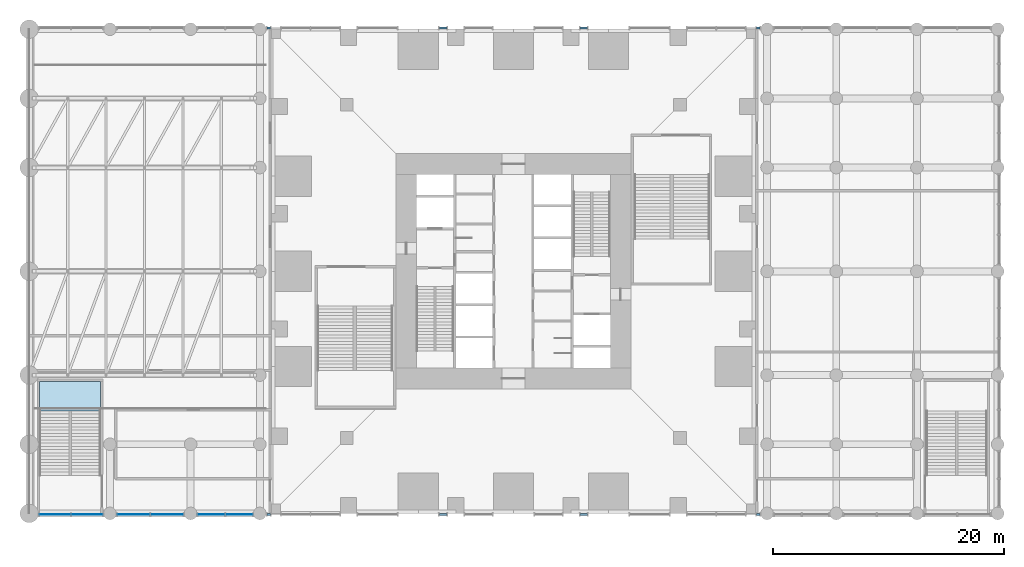
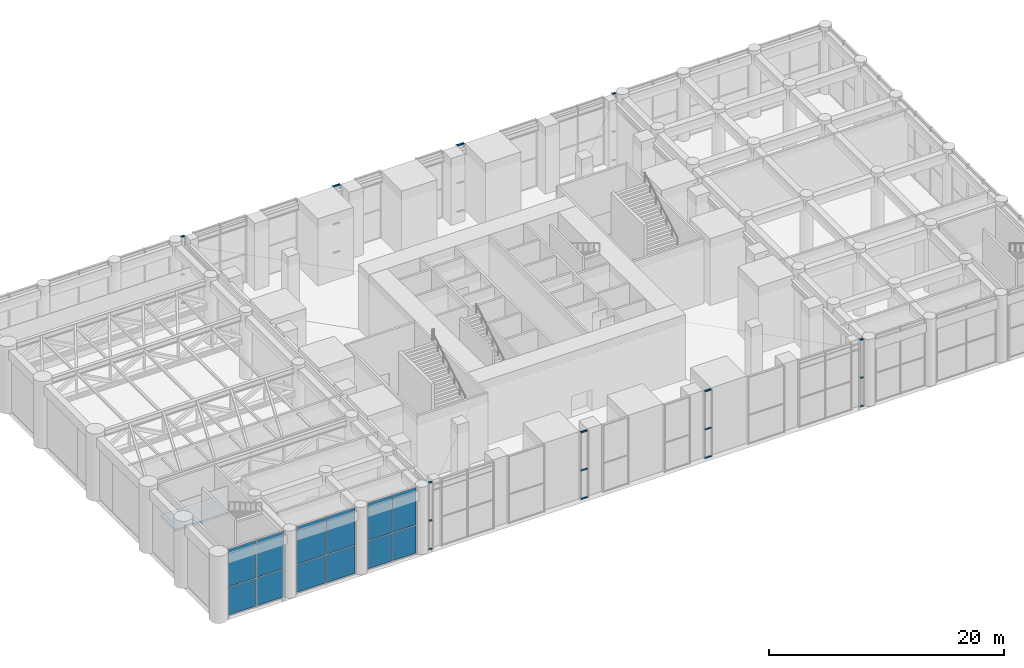
# One storey, part 14 of 30: 24 members, 12 plates, 1 slab, 12 elements without a shape of their own.
"""IFC4 building model written with IfcOpenShell, lengths in metres."""

from ifc_helpers import new_model, si_unit, direction, frame, origin, origin_2d, place, context, subcontext, project, spatial, polyline, rectangle, outline, extrude, material, layer, layer_set, material_profile, profile_set, type_object, element, aggregate, save


model = new_model("IFC4")

# Units and contexts
model_context = context("Model", 3, precision=1e-05, world=origin(), true_north=direction((0.0, 1.0)))
body_context = subcontext(model_context, "Body", "Model", "MODEL_VIEW")
ifc_project = project(units=[si_unit("LENGTHUNIT", "METRE"), si_unit("AREAUNIT", "SQUARE_METRE"), si_unit("VOLUMEUNIT", "CUBIC_METRE"), si_unit("PLANEANGLEUNIT", "RADIAN"), si_unit("MASSUNIT", "GRAM", prefix="KILO")], contexts=[model_context])

# Site, building, storey
site_placement = place(None, origin())
site = spatial("IfcSite", under=ifc_project, at=site_placement, CompositionType="ELEMENT")
building_placement = place(site_placement, origin())
building = spatial("IfcBuilding", under=site, at=building_placement, Name="Svetlomir Tower", CompositionType="ELEMENT")
storey_placement = place(building_placement, frame((0.0, 0.0, 11.0)))
storey = spatial("IfcBuildingStorey", under=building, at=storey_placement, Name="L02", CompositionType="ELEMENT", Elevation=11.0)

# Curtain wall, members
ifc_material_1 = material(Name="Bronze anodised aluminium curtain wall", Category="aluminium")
curtain_wall_type = type_object("IfcCurtainWallType", Name="CURTAIN WALL CW5 PODIUM", PredefinedType="NOTDEFINED", material=ifc_material_1)
curtain_wall_1_placement = place(storey_placement, origin())
curtain_wall_1 = element("IfcCurtainWall", 1, at=curtain_wall_1_placement, inside=storey, type_object=curtain_wall_type, Name="Curtain wall CW5 L02", PredefinedType="NOTDEFINED")
ifc_material_2 = material(Name="Bronze anodised aluminium", Category="aluminium")
ifc_material_profile = material_profile(ifc_material_2, rectangle(XDim=0.179931640625, YDim=0.080078125, at=origin_2d()), Name="AL 180x80")
ifc_profile_set = profile_set([ifc_material_profile], Name="Bronze anodised aluminium 6063-T6")
member_type = type_object("IfcMemberType", Name="CW5 TRANSOM 80x180", PredefinedType="USERDEFINED", material=ifc_profile_set)
member_1_placement = place(storey_placement, frame((-0.3701171875, -0.10009765625, 0.0400390625), z_axis=(1.0, 0.0, 0.0), x_axis=(0.0, 1.0, 0.0)))
member_1 = element("IfcMember", 2, at=member_1_placement, type_object=member_type, Name="CW5 transom 1.1", ObjectType="TRANSOM", PredefinedType="USERDEFINED", context=body_context, shape_type="SweptSolid", body=[
    extrude(rectangle(XDim=0.179931640625, YDim=0.080078125, at=origin_2d()), origin(), (0.0, 0.0, 1.0), 0.2900390625),
])
member_2_placement = place(storey_placement, frame((-0.3701171875, -0.10009765625, 3.0), z_axis=(1.0, 0.0, 0.0), x_axis=(0.0, 1.0, 0.0)))
member_2 = element("IfcMember", 3, at=member_2_placement, type_object=member_type, Name="CW5 transom 1.2", ObjectType="TRANSOM", PredefinedType="USERDEFINED", context=body_context, shape_type="SweptSolid", body=[
    extrude(rectangle(XDim=0.179931640625, YDim=0.080078125, at=origin_2d()), origin(), (0.0, 0.0, 1.0), 0.2900390625),
])
member_3_placement = place(storey_placement, frame((-0.3701171875, -0.10009765625, 6.9599609375), z_axis=(1.0, 0.0, 0.0), x_axis=(0.0, 1.0, 0.0)))
member_3 = element("IfcMember", 4, at=member_3_placement, type_object=member_type, Name="CW5 transom 1.3", ObjectType="TRANSOM", PredefinedType="USERDEFINED", context=body_context, shape_type="SweptSolid", body=[
    extrude(rectangle(XDim=0.179931640625, YDim=0.080078125, at=origin_2d()), origin(), (0.0, 0.0, 1.0), 0.2900390625),
])
aggregate(curtain_wall_1, [member_1, member_2, member_3])

curtain_wall_2_placement = place(storey_placement, origin())
curtain_wall_2 = element("IfcCurtainWall", 5, at=curtain_wall_2_placement, inside=storey, type_object=curtain_wall_type, Name="Curtain wall CW5 L02", PredefinedType="NOTDEFINED")
member_4_placement = place(storey_placement, frame((14.580078125, -0.10009765625, 0.0400390625), z_axis=(1.0, 0.0, 0.0), x_axis=(0.0, 1.0, 0.0)))
member_4 = element("IfcMember", 6, at=member_4_placement, type_object=member_type, Name="CW5 transom 1.1", ObjectType="TRANSOM", PredefinedType="USERDEFINED", context=body_context, shape_type="SweptSolid", body=[
    extrude(rectangle(XDim=0.179931640625, YDim=0.080078125, at=origin_2d()), origin(), (0.0, 0.0, 1.0), 0.639892578125),
])
member_5_placement = place(storey_placement, frame((14.580078125, -0.10009765625, 3.0), z_axis=(1.0, 0.0, 0.0), x_axis=(0.0, 1.0, 0.0)))
member_5 = element("IfcMember", 7, at=member_5_placement, type_object=member_type, Name="CW5 transom 1.2", ObjectType="TRANSOM", PredefinedType="USERDEFINED", context=body_context, shape_type="SweptSolid", body=[
    extrude(rectangle(XDim=0.179931640625, YDim=0.080078125, at=origin_2d()), origin(), (0.0, 0.0, 1.0), 0.639892578125),
])
member_6_placement = place(storey_placement, frame((14.580078125, -0.10009765625, 6.9599609375), z_axis=(1.0, 0.0, 0.0), x_axis=(0.0, 1.0, 0.0)))
member_6 = element("IfcMember", 8, at=member_6_placement, type_object=member_type, Name="CW5 transom 1.3", ObjectType="TRANSOM", PredefinedType="USERDEFINED", context=body_context, shape_type="SweptSolid", body=[
    extrude(rectangle(XDim=0.179931640625, YDim=0.080078125, at=origin_2d()), origin(), (0.0, 0.0, 1.0), 0.639892578125),
])
aggregate(curtain_wall_2, [member_4, member_5, member_6])

curtain_wall_3_placement = place(storey_placement, origin())
curtain_wall_3 = element("IfcCurtainWall", 9, at=curtain_wall_3_placement, inside=storey, type_object=curtain_wall_type, Name="Curtain wall CW5 L02", PredefinedType="NOTDEFINED")
member_7_placement = place(storey_placement, frame((26.780029296875, -0.10009765625, 0.0400390625), z_axis=(1.0, 0.0, 0.0), x_axis=(0.0, 1.0, 0.0)))
member_7 = element("IfcMember", 10, at=member_7_placement, type_object=member_type, Name="CW5 transom 1.1", ObjectType="TRANSOM", PredefinedType="USERDEFINED", context=body_context, shape_type="SweptSolid", body=[
    extrude(rectangle(XDim=0.179931640625, YDim=0.080078125, at=origin_2d()), origin(), (0.0, 0.0, 1.0), 0.639892578125),
])
member_8_placement = place(storey_placement, frame((26.780029296875, -0.10009765625, 3.0), z_axis=(1.0, 0.0, 0.0), x_axis=(0.0, 1.0, 0.0)))
member_8 = element("IfcMember", 11, at=member_8_placement, type_object=member_type, Name="CW5 transom 1.2", ObjectType="TRANSOM", PredefinedType="USERDEFINED", context=body_context, shape_type="SweptSolid", body=[
    extrude(rectangle(XDim=0.179931640625, YDim=0.080078125, at=origin_2d()), origin(), (0.0, 0.0, 1.0), 0.639892578125),
])
member_9_placement = place(storey_placement, frame((26.780029296875, -0.10009765625, 6.9599609375), z_axis=(1.0, 0.0, 0.0), x_axis=(0.0, 1.0, 0.0)))
member_9 = element("IfcMember", 12, at=member_9_placement, type_object=member_type, Name="CW5 transom 1.3", ObjectType="TRANSOM", PredefinedType="USERDEFINED", context=body_context, shape_type="SweptSolid", body=[
    extrude(rectangle(XDim=0.179931640625, YDim=0.080078125, at=origin_2d()), origin(), (0.0, 0.0, 1.0), 0.639892578125),
])
aggregate(curtain_wall_3, [member_7, member_8, member_9])

curtain_wall_4_placement = place(storey_placement, origin())
curtain_wall_4 = element("IfcCurtainWall", 13, at=curtain_wall_4_placement, inside=storey, type_object=curtain_wall_type, Name="Curtain wall CW5 L02", PredefinedType="NOTDEFINED")
member_10_placement = place(storey_placement, frame((42.080078125, -0.10009765625, 0.0400390625), z_axis=(1.0, 0.0, 0.0), x_axis=(0.0, 1.0, 0.0)))
member_10 = element("IfcMember", 14, at=member_10_placement, type_object=member_type, Name="CW5 transom 1.1", ObjectType="TRANSOM", PredefinedType="USERDEFINED", context=body_context, shape_type="SweptSolid", body=[
    extrude(rectangle(XDim=0.179931640625, YDim=0.080078125, at=origin_2d()), origin(), (0.0, 0.0, 1.0), 0.2900390625),
])
member_11_placement = place(storey_placement, frame((42.080078125, -0.10009765625, 3.0), z_axis=(1.0, 0.0, 0.0), x_axis=(0.0, 1.0, 0.0)))
member_11 = element("IfcMember", 15, at=member_11_placement, type_object=member_type, Name="CW5 transom 1.2", ObjectType="TRANSOM", PredefinedType="USERDEFINED", context=body_context, shape_type="SweptSolid", body=[
    extrude(rectangle(XDim=0.179931640625, YDim=0.080078125, at=origin_2d()), origin(), (0.0, 0.0, 1.0), 0.2900390625),
])
member_12_placement = place(storey_placement, frame((42.080078125, -0.10009765625, 6.9599609375), z_axis=(1.0, 0.0, 0.0), x_axis=(0.0, 1.0, 0.0)))
member_12 = element("IfcMember", 16, at=member_12_placement, type_object=member_type, Name="CW5 transom 1.3", ObjectType="TRANSOM", PredefinedType="USERDEFINED", context=body_context, shape_type="SweptSolid", body=[
    extrude(rectangle(XDim=0.179931640625, YDim=0.080078125, at=origin_2d()), origin(), (0.0, 0.0, 1.0), 0.2900390625),
])
aggregate(curtain_wall_4, [member_10, member_11, member_12])

curtain_wall_5_placement = place(storey_placement, origin())
curtain_wall_5 = element("IfcCurtainWall", 17, at=curtain_wall_5_placement, inside=storey, type_object=curtain_wall_type, Name="Curtain wall CW5 L02", PredefinedType="NOTDEFINED")
member_13_placement = place(storey_placement, frame((42.3701171875, 42.10009765625, 0.0400390625), z_axis=(-1.0, 0.0, 0.0), x_axis=(0.0, -1.0, 0.0)))
member_13 = element("IfcMember", 18, at=member_13_placement, type_object=member_type, Name="CW5 transom 1.1", ObjectType="TRANSOM", PredefinedType="USERDEFINED", context=body_context, shape_type="SweptSolid", body=[
    extrude(rectangle(XDim=0.179931640625, YDim=0.080078125, at=origin_2d()), origin(), (0.0, 0.0, 1.0), 0.2900390625),
])
member_14_placement = place(storey_placement, frame((42.3701171875, 42.10009765625, 3.0), z_axis=(-1.0, 0.0, 0.0), x_axis=(0.0, -1.0, 0.0)))
member_14 = element("IfcMember", 19, at=member_14_placement, type_object=member_type, Name="CW5 transom 1.2", ObjectType="TRANSOM", PredefinedType="USERDEFINED", context=body_context, shape_type="SweptSolid", body=[
    extrude(rectangle(XDim=0.179931640625, YDim=0.080078125, at=origin_2d()), origin(), (0.0, 0.0, 1.0), 0.2900390625),
])
member_15_placement = place(storey_placement, frame((42.3701171875, 42.10009765625, 6.9599609375), z_axis=(-1.0, 0.0, 0.0), x_axis=(0.0, -1.0, 0.0)))
member_15 = element("IfcMember", 20, at=member_15_placement, type_object=member_type, Name="CW5 transom 1.3", ObjectType="TRANSOM", PredefinedType="USERDEFINED", context=body_context, shape_type="SweptSolid", body=[
    extrude(rectangle(XDim=0.179931640625, YDim=0.080078125, at=origin_2d()), origin(), (0.0, 0.0, 1.0), 0.2900390625),
])
aggregate(curtain_wall_5, [member_13, member_14, member_15])

curtain_wall_6_placement = place(storey_placement, origin())
curtain_wall_6 = element("IfcCurtainWall", 21, at=curtain_wall_6_placement, inside=storey, type_object=curtain_wall_type, Name="Curtain wall CW5 L02", PredefinedType="NOTDEFINED")
member_16_placement = place(storey_placement, frame((27.419921875, 42.10009765625, 0.0400390625), z_axis=(-1.0, 0.0, 0.0), x_axis=(0.0, -1.0, 0.0)))
member_16 = element("IfcMember", 22, at=member_16_placement, type_object=member_type, Name="CW5 transom 1.1", ObjectType="TRANSOM", PredefinedType="USERDEFINED", context=body_context, shape_type="SweptSolid", body=[
    extrude(rectangle(XDim=0.179931640625, YDim=0.080078125, at=origin_2d()), origin(), (0.0, 0.0, 1.0), 0.639892578125),
])
member_17_placement = place(storey_placement, frame((27.419921875, 42.10009765625, 3.0), z_axis=(-1.0, 0.0, 0.0), x_axis=(0.0, -1.0, 0.0)))
member_17 = element("IfcMember", 23, at=member_17_placement, type_object=member_type, Name="CW5 transom 1.2", ObjectType="TRANSOM", PredefinedType="USERDEFINED", context=body_context, shape_type="SweptSolid", body=[
    extrude(rectangle(XDim=0.179931640625, YDim=0.080078125, at=origin_2d()), origin(), (0.0, 0.0, 1.0), 0.639892578125),
])
member_18_placement = place(storey_placement, frame((27.419921875, 42.10009765625, 6.9599609375), z_axis=(-1.0, 0.0, 0.0), x_axis=(0.0, -1.0, 0.0)))
member_18 = element("IfcMember", 24, at=member_18_placement, type_object=member_type, Name="CW5 transom 1.3", ObjectType="TRANSOM", PredefinedType="USERDEFINED", context=body_context, shape_type="SweptSolid", body=[
    extrude(rectangle(XDim=0.179931640625, YDim=0.080078125, at=origin_2d()), origin(), (0.0, 0.0, 1.0), 0.639892578125),
])
aggregate(curtain_wall_6, [member_16, member_17, member_18])

curtain_wall_7_placement = place(storey_placement, origin())
curtain_wall_7 = element("IfcCurtainWall", 25, at=curtain_wall_7_placement, inside=storey, type_object=curtain_wall_type, Name="Curtain wall CW5 L02", PredefinedType="NOTDEFINED")
member_19_placement = place(storey_placement, frame((15.219970703125, 42.10009765625, 0.0400390625), z_axis=(-1.0, 0.0, 0.0), x_axis=(0.0, -1.0, 0.0)))
member_19 = element("IfcMember", 26, at=member_19_placement, type_object=member_type, Name="CW5 transom 1.1", ObjectType="TRANSOM", PredefinedType="USERDEFINED", context=body_context, shape_type="SweptSolid", body=[
    extrude(rectangle(XDim=0.179931640625, YDim=0.080078125, at=origin_2d()), origin(), (0.0, 0.0, 1.0), 0.639892578125),
])
member_20_placement = place(storey_placement, frame((15.219970703125, 42.10009765625, 3.0), z_axis=(-1.0, 0.0, 0.0), x_axis=(0.0, -1.0, 0.0)))
member_20 = element("IfcMember", 27, at=member_20_placement, type_object=member_type, Name="CW5 transom 1.2", ObjectType="TRANSOM", PredefinedType="USERDEFINED", context=body_context, shape_type="SweptSolid", body=[
    extrude(rectangle(XDim=0.179931640625, YDim=0.080078125, at=origin_2d()), origin(), (0.0, 0.0, 1.0), 0.639892578125),
])
member_21_placement = place(storey_placement, frame((15.219970703125, 42.10009765625, 6.9599609375), z_axis=(-1.0, 0.0, 0.0), x_axis=(0.0, -1.0, 0.0)))
member_21 = element("IfcMember", 28, at=member_21_placement, type_object=member_type, Name="CW5 transom 1.3", ObjectType="TRANSOM", PredefinedType="USERDEFINED", context=body_context, shape_type="SweptSolid", body=[
    extrude(rectangle(XDim=0.179931640625, YDim=0.080078125, at=origin_2d()), origin(), (0.0, 0.0, 1.0), 0.639892578125),
])
aggregate(curtain_wall_7, [member_19, member_20, member_21])

curtain_wall_8_placement = place(storey_placement, origin())
curtain_wall_8 = element("IfcCurtainWall", 29, at=curtain_wall_8_placement, inside=storey, type_object=curtain_wall_type, Name="Curtain wall CW5 L02", PredefinedType="NOTDEFINED")
member_22_placement = place(storey_placement, frame((-0.080078125, 42.10009765625, 0.0400390625), z_axis=(-1.0, 0.0, 0.0), x_axis=(0.0, -1.0, 0.0)))
member_22 = element("IfcMember", 30, at=member_22_placement, type_object=member_type, Name="CW5 transom 1.1", ObjectType="TRANSOM", PredefinedType="USERDEFINED", context=body_context, shape_type="SweptSolid", body=[
    extrude(rectangle(XDim=0.179931640625, YDim=0.080078125, at=origin_2d()), origin(), (0.0, 0.0, 1.0), 0.2900390625),
])
member_23_placement = place(storey_placement, frame((-0.080078125, 42.10009765625, 3.0), z_axis=(-1.0, 0.0, 0.0), x_axis=(0.0, -1.0, 0.0)))
member_23 = element("IfcMember", 31, at=member_23_placement, type_object=member_type, Name="CW5 transom 1.2", ObjectType="TRANSOM", PredefinedType="USERDEFINED", context=body_context, shape_type="SweptSolid", body=[
    extrude(rectangle(XDim=0.179931640625, YDim=0.080078125, at=origin_2d()), origin(), (0.0, 0.0, 1.0), 0.2900390625),
])
member_24_placement = place(storey_placement, frame((-0.080078125, 42.10009765625, 6.9599609375), z_axis=(-1.0, 0.0, 0.0), x_axis=(0.0, -1.0, 0.0)))
member_24 = element("IfcMember", 32, at=member_24_placement, type_object=member_type, Name="CW5 transom 1.3", ObjectType="TRANSOM", PredefinedType="USERDEFINED", context=body_context, shape_type="SweptSolid", body=[
    extrude(rectangle(XDim=0.179931640625, YDim=0.080078125, at=origin_2d()), origin(), (0.0, 0.0, 1.0), 0.2900390625),
])
aggregate(curtain_wall_8, [member_22, member_23, member_24])

# Curtain wall, plates
curtain_wall_9_placement = place(storey_placement, origin())
curtain_wall_9 = element("IfcCurtainWall", 33, at=curtain_wall_9_placement, inside=storey, type_object=curtain_wall_type, Name="Curtain wall CW5 L02", PredefinedType="NOTDEFINED")
ifc_material_3 = material(Name="Tinted double glazed unit", Category="glass")
ifc_layer_1 = layer(ifc_material_3, 0.0400390625)
ifc_layer_set_1 = layer_set([ifc_layer_1], Name="Tinted double glazed unit")
plate_type = type_object("IfcPlateType", Name="CW5 GLAZED PANEL 40", PredefinedType="CURTAIN_PANEL", material=ifc_layer_set_1)
plate_1_placement = place(storey_placement, frame((-18.767578125, -0.10009765625, 0.080078125), z_axis=(0.0, 0.0, 1.0), x_axis=(1.0, 0.0, 0.0)))
plate_1 = element("IfcPlate", 34, at=plate_1_placement, type_object=plate_type, Name="CW5 panel 1.1", PredefinedType="CURTAIN_PANEL", context=body_context, shape_type="SweptSolid", body=[
    extrude(rectangle(XDim=2.705078125, YDim=0.0400390625, at=origin_2d()), origin(), (0.0, 0.0, 1.0), 2.8798828125),
])
plate_2_placement = place(storey_placement, frame((-18.767578125, -0.10009765625, 3.0400390625), z_axis=(0.0, 0.0, 1.0), x_axis=(1.0, 0.0, 0.0)))
plate_2 = element("IfcPlate", 35, at=plate_2_placement, type_object=plate_type, Name="CW5 panel 1.2", PredefinedType="CURTAIN_PANEL", context=body_context, shape_type="SweptSolid", body=[
    extrude(rectangle(XDim=2.705078125, YDim=0.0400390625, at=origin_2d()), origin(), (0.0, 0.0, 1.0), 3.8798828125),
])
plate_3_placement = place(storey_placement, frame((-15.982421875, -0.10009765625, 0.080078125), z_axis=(0.0, 0.0, 1.0), x_axis=(1.0, 0.0, 0.0)))
plate_3 = element("IfcPlate", 36, at=plate_3_placement, type_object=plate_type, Name="CW5 panel 2.1", PredefinedType="CURTAIN_PANEL", context=body_context, shape_type="SweptSolid", body=[
    extrude(rectangle(XDim=2.705078125, YDim=0.0400390625, at=origin_2d()), origin(), (0.0, 0.0, 1.0), 2.8798828125),
])
plate_4_placement = place(storey_placement, frame((-15.982421875, -0.10009765625, 3.0400390625), z_axis=(0.0, 0.0, 1.0), x_axis=(1.0, 0.0, 0.0)))
plate_4 = element("IfcPlate", 37, at=plate_4_placement, type_object=plate_type, Name="CW5 panel 2.2", PredefinedType="CURTAIN_PANEL", context=body_context, shape_type="SweptSolid", body=[
    extrude(rectangle(XDim=2.705078125, YDim=0.0400390625, at=origin_2d()), origin(), (0.0, 0.0, 1.0), 3.8798828125),
])
aggregate(curtain_wall_9, [plate_1, plate_2, plate_3, plate_4])

curtain_wall_10_placement = place(storey_placement, origin())
curtain_wall_10 = element("IfcCurtainWall", 38, at=curtain_wall_10_placement, inside=storey, type_object=curtain_wall_type, Name="Curtain wall CW5 L02", PredefinedType="NOTDEFINED")
plate_5_placement = place(storey_placement, frame((-11.955078125, -0.10009765625, 0.080078125), z_axis=(0.0, 0.0, 1.0), x_axis=(1.0, 0.0, 0.0)))
plate_5 = element("IfcPlate", 39, at=plate_5_placement, type_object=plate_type, Name="CW5 panel 1.1", PredefinedType="CURTAIN_PANEL", context=body_context, shape_type="SweptSolid", body=[
    extrude(rectangle(XDim=2.830078125, YDim=0.0400390625, at=origin_2d()), origin(), (0.0, 0.0, 1.0), 2.8798828125),
])
plate_6_placement = place(storey_placement, frame((-11.955078125, -0.10009765625, 3.0400390625), z_axis=(0.0, 0.0, 1.0), x_axis=(1.0, 0.0, 0.0)))
plate_6 = element("IfcPlate", 40, at=plate_6_placement, type_object=plate_type, Name="CW5 panel 1.2", PredefinedType="CURTAIN_PANEL", context=body_context, shape_type="SweptSolid", body=[
    extrude(rectangle(XDim=2.830078125, YDim=0.0400390625, at=origin_2d()), origin(), (0.0, 0.0, 1.0), 3.8798828125),
])
plate_7_placement = place(storey_placement, frame((-9.044921875, -0.10009765625, 0.080078125), z_axis=(0.0, 0.0, 1.0), x_axis=(1.0, 0.0, 0.0)))
plate_7 = element("IfcPlate", 41, at=plate_7_placement, type_object=plate_type, Name="CW5 panel 2.1", PredefinedType="CURTAIN_PANEL", context=body_context, shape_type="SweptSolid", body=[
    extrude(rectangle(XDim=2.830078125, YDim=0.0400390625, at=origin_2d()), origin(), (0.0, 0.0, 1.0), 2.8798828125),
])
plate_8_placement = place(storey_placement, frame((-9.044921875, -0.10009765625, 3.0400390625), z_axis=(0.0, 0.0, 1.0), x_axis=(1.0, 0.0, 0.0)))
plate_8 = element("IfcPlate", 42, at=plate_8_placement, type_object=plate_type, Name="CW5 panel 2.2", PredefinedType="CURTAIN_PANEL", context=body_context, shape_type="SweptSolid", body=[
    extrude(rectangle(XDim=2.830078125, YDim=0.0400390625, at=origin_2d()), origin(), (0.0, 0.0, 1.0), 3.8798828125),
])
aggregate(curtain_wall_10, [plate_5, plate_6, plate_7, plate_8])

curtain_wall_11_placement = place(storey_placement, origin())
curtain_wall_11 = element("IfcCurtainWall", 43, at=curtain_wall_11_placement, inside=storey, type_object=curtain_wall_type, Name="Curtain wall CW5 L02", PredefinedType="NOTDEFINED")
plate_9_placement = place(storey_placement, frame((-5.205078125, -0.10009765625, 0.080078125), z_axis=(0.0, 0.0, 1.0), x_axis=(1.0, 0.0, 0.0)))
plate_9 = element("IfcPlate", 44, at=plate_9_placement, type_object=plate_type, Name="CW5 panel 1.1", PredefinedType="CURTAIN_PANEL", context=body_context, shape_type="SweptSolid", body=[
    extrude(rectangle(XDim=2.330078125, YDim=0.0400390625, at=origin_2d()), origin(), (0.0, 0.0, 1.0), 2.8798828125),
])
plate_10_placement = place(storey_placement, frame((-5.205078125, -0.10009765625, 3.0400390625), z_axis=(0.0, 0.0, 1.0), x_axis=(1.0, 0.0, 0.0)))
plate_10 = element("IfcPlate", 45, at=plate_10_placement, type_object=plate_type, Name="CW5 panel 1.2", PredefinedType="CURTAIN_PANEL", context=body_context, shape_type="SweptSolid", body=[
    extrude(rectangle(XDim=2.330078125, YDim=0.0400390625, at=origin_2d()), origin(), (0.0, 0.0, 1.0), 3.8798828125),
])
plate_11_placement = place(storey_placement, frame((-2.794921875, -0.10009765625, 0.080078125), z_axis=(0.0, 0.0, 1.0), x_axis=(1.0, 0.0, 0.0)))
plate_11 = element("IfcPlate", 46, at=plate_11_placement, type_object=plate_type, Name="CW5 panel 2.1", PredefinedType="CURTAIN_PANEL", context=body_context, shape_type="SweptSolid", body=[
    extrude(rectangle(XDim=2.330078125, YDim=0.0400390625, at=origin_2d()), origin(), (0.0, 0.0, 1.0), 2.8798828125),
])
plate_12_placement = place(storey_placement, frame((-2.794921875, -0.10009765625, 3.0400390625), z_axis=(0.0, 0.0, 1.0), x_axis=(1.0, 0.0, 0.0)))
plate_12 = element("IfcPlate", 47, at=plate_12_placement, type_object=plate_type, Name="CW5 panel 2.2", PredefinedType="CURTAIN_PANEL", context=body_context, shape_type="SweptSolid", body=[
    extrude(rectangle(XDim=2.330078125, YDim=0.0400390625, at=origin_2d()), origin(), (0.0, 0.0, 1.0), 3.8798828125),
])
aggregate(curtain_wall_11, [plate_9, plate_10, plate_11, plate_12])

# Stair, slab
ifc_material_4 = material(Name="Concrete C60/75", Category="concrete")
stair_type = type_object("IfcStairType", Name="EXIT STAIR 5300 RISE 7000", PredefinedType="HALF_TURN_STAIR", material=ifc_material_4)
stair_placement = place(storey_placement, origin())
stair = element("IfcStair", 48, at=stair_placement, inside=storey, type_object=stair_type, Name="Stair P3 L02 to L03", PredefinedType="HALF_TURN_STAIR")
ifc_material_5 = material(Name="Concrete C60/75", Category="concrete")
ifc_layer_2 = layer(ifc_material_5, 0.199951171875)
ifc_layer_set_2 = layer_set([ifc_layer_2], Name="Concrete C60/75")
slab_type = type_object("IfcSlabType", Name="STAIR LANDING 200", PredefinedType="LANDING", material=ifc_layer_set_2)
slab_placement = place(storey_placement, frame((0.0, 0.0, 3.300048828125)))
slab = element("IfcSlab", 49, at=slab_placement, type_object=slab_type, Name="P3 landing 1", PredefinedType="LANDING", context=body_context, shape_type="SweptSolid", body=[
    extrude(outline(polyline([(-20.10009765625, 8.89990234375), (-14.800048828125, 8.89990234375), (-14.800048828125, 11.449951171875), (-20.10009765625, 11.449951171875), (-20.10009765625, 8.89990234375)])), origin(), (0.0, 0.0, 1.0), 0.199951171875),
])
aggregate(stair, [slab])

save(model, "model.ifc")
